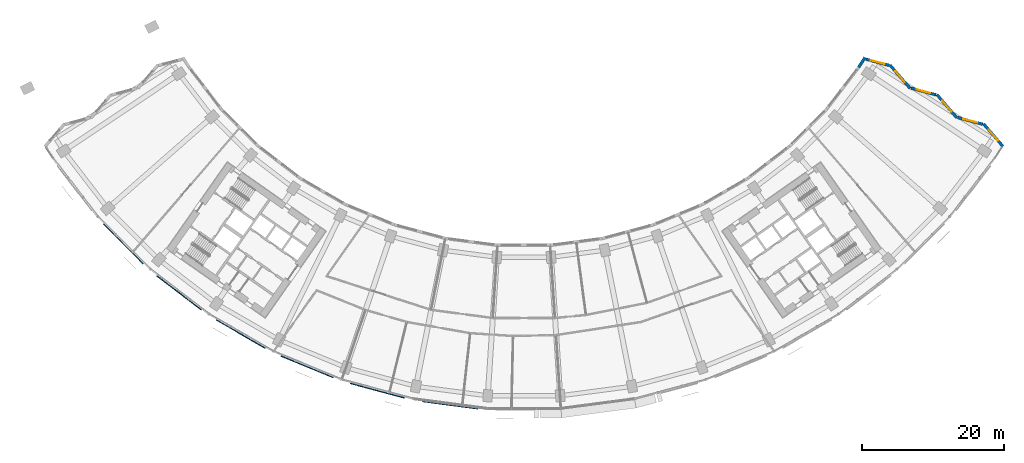
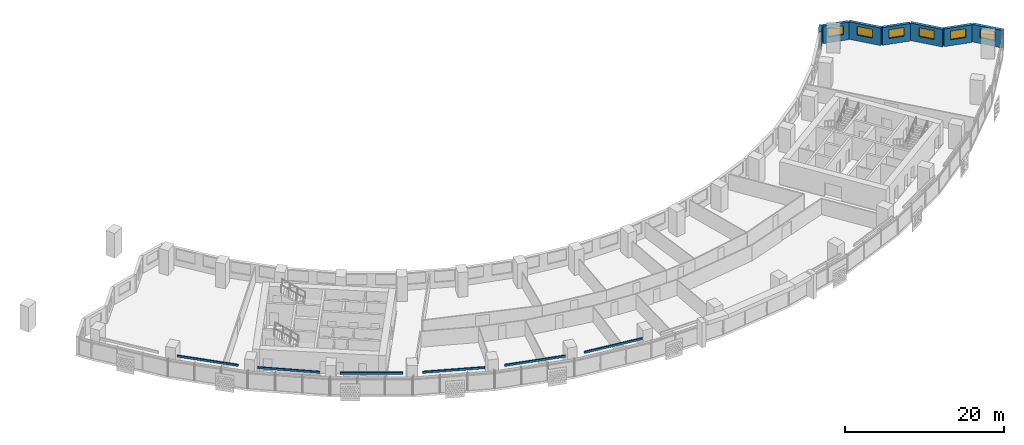
# One storey, part 8 of 31: 7 walls, 6 discrete accessories, 6 windows, 6 openings.
"""IFC4 building model written with IfcOpenShell, lengths in metres."""

from ifc_helpers import new_model, si_unit, direction, frame, frame_2d, origin, origin_2d, place, context, subcontext, project, spatial, rectangle, extrude, material, layer, layer_set, type_object, element, fill, save


model = new_model("IFC4")

# Units and contexts
model_context = context("Model", 3, precision=1e-05, world=origin(), true_north=direction((0.0, 1.0)))
body_context = subcontext(model_context, "Body", "Model", "MODEL_VIEW")
ifc_project = project(units=[si_unit("LENGTHUNIT", "METRE"), si_unit("AREAUNIT", "SQUARE_METRE"), si_unit("VOLUMEUNIT", "CUBIC_METRE"), si_unit("PLANEANGLEUNIT", "RADIAN"), si_unit("MASSUNIT", "GRAM", prefix="KILO")], contexts=[model_context])

# Site, building, storey
site_placement = place(None, origin())
site = spatial("IfcSite", under=ifc_project, at=site_placement, CompositionType="ELEMENT")
building_placement = place(site_placement, origin())
building = spatial("IfcBuilding", under=site, at=building_placement, Name="Qamariyya Broadcast Tower", CompositionType="ELEMENT")
storey_placement = place(building_placement, frame((0.0, 0.0, 51.89990234375)))
storey = spatial("IfcBuildingStorey", under=building, at=storey_placement, Name="L09", CompositionType="ELEMENT", Elevation=51.89990234375)

# Wall, opening, window
ifc_material_1 = material(Name="Terracotta", Category="masonry")
ifc_layer = layer(ifc_material_1, 0.39990234375)
ifc_layer_set = layer_set([ifc_layer], Name="Terracotta clad wall 400")
wall_type = type_object("IfcWallType", Name="Terracotta clad wall 400", PredefinedType="SOLIDWALL", material=ifc_layer_set)
wall_1_placement = place(storey_placement, frame((67.269287109375, -42.539794921875, 0.0), z_axis=(0.0, 0.0, 1.0), x_axis=(-0.652073316763, 0.758155913758, 0.0)))
wall_1 = element("IfcWall", 1, at=wall_1_placement, inside=storey, type_object=wall_type, Name="e-wl-L09-capE0", PredefinedType="SOLIDWALL", context=body_context, shape_type="SweptSolid", body=[
    extrude(rectangle(XDim=4.121826171875, YDim=0.39990234375, at=frame_2d((2.06103515625, 0.0))), origin(), (0.0, 0.0, 1.0), 2.7001953125),
])
opening_1_placement = place(wall_1_placement, frame((1.060791015625, 0.0, 0.89990234375)))
opening_1 = element("IfcOpeningElement", 2, at=opening_1_placement, cuts=wall_1, Name="Opening W4", PredefinedType="OPENING", context=body_context, shape_type="SweptSolid", body=[
    extrude(rectangle(XDim=2.0, YDim=1.35009765625, at=frame_2d((1.0, 0.675048828125))), frame((0.0, 0.2099609375, 0.0), z_axis=(0.0, -1.0, 0.0), x_axis=(1.0, 0.0, 0.0)), (0.0, 0.0, 1.0), 0.419921875),
])
ifc_material_2 = material(Name="Clear low-e double glazed unit in aluminium frame", Category="aluminium")
window_type = type_object("IfcWindowType", Name="Horn bay window 2000 x 1350", PartitioningType="SINGLE_PANEL", PredefinedType="WINDOW", material=ifc_material_2)
window_1_placement = place(opening_1_placement, origin())
window_1 = element("IfcWindow", 3, at=window_1_placement, inside=storey, type_object=window_type, Name="e-w-L09-capE0", OverallHeight=1.35009765625, OverallWidth=2.0, PartitioningType="SINGLE_PANEL", PredefinedType="WINDOW", context=body_context, shape_type="SweptSolid", body=[
    extrude(rectangle(XDim=2.0, YDim=1.35009765625, at=frame_2d((1.0, 0.675048828125))), frame((0.0, 0.030029296875, 0.0), z_axis=(0.0, -1.0, 0.0), x_axis=(1.0, 0.0, 0.0)), (0.0, 0.0, 1.0), 0.06005859375),
])
fill(opening_1, window_1)

wall_2_placement = place(storey_placement, frame((64.456787109375, -39.445556640625, 0.0), z_axis=(0.0, 0.0, 1.0), x_axis=(-0.966103763215, 0.258154060014, 0.0)))
wall_2 = element("IfcWall", 4, at=wall_2_placement, inside=storey, type_object=wall_type, Name="e-wl-L09-capE1", PredefinedType="SOLIDWALL", context=body_context, shape_type="SweptSolid", body=[
    extrude(rectangle(XDim=3.648681640625, YDim=0.39990234375, at=frame_2d((1.82421875, 0.0))), origin(), (0.0, 0.0, 1.0), 2.7001953125),
])
opening_2_placement = place(wall_2_placement, frame((0.824462890625, 0.0, 0.89990234375)))
opening_2 = element("IfcOpeningElement", 5, at=opening_2_placement, cuts=wall_2, Name="Opening W4", PredefinedType="OPENING", context=body_context, shape_type="SweptSolid", body=[
    extrude(rectangle(XDim=2.0, YDim=1.35009765625, at=frame_2d((1.0, 0.675048828125))), frame((0.0, 0.2099609375, 0.0), z_axis=(0.0, -1.0, 0.0), x_axis=(1.0, 0.0, 0.0)), (0.0, 0.0, 1.0), 0.419921875),
])
window_2_placement = place(opening_2_placement, origin())
window_2 = element("IfcWindow", 6, at=window_2_placement, inside=storey, type_object=window_type, Name="e-w-L09-capE1", OverallHeight=1.35009765625, OverallWidth=2.0, PartitioningType="SINGLE_PANEL", PredefinedType="WINDOW", context=body_context, shape_type="SweptSolid", body=[
    extrude(rectangle(XDim=2.0, YDim=1.35009765625, at=frame_2d((1.0, 0.675048828125))), frame((0.0, 0.030029296875, 0.0), z_axis=(0.0, -1.0, 0.0), x_axis=(1.0, 0.0, 0.0)), (0.0, 0.0, 1.0), 0.06005859375),
])
fill(opening_2, window_2)

wall_3_placement = place(storey_placement, frame((60.80712890625, -38.53466796875, 0.0), z_axis=(0.0, 0.0, 1.0), x_axis=(-0.652138603414, 0.758099757246, 0.0)))
wall_3 = element("IfcWall", 7, at=wall_3_placement, inside=storey, type_object=wall_type, Name="e-wl-L09-capE2", PredefinedType="SOLIDWALL", context=body_context, shape_type="SweptSolid", body=[
    extrude(rectangle(XDim=4.294677734375, YDim=0.39990234375, at=frame_2d((2.1474609375, 0.0))), origin(), (0.0, 0.0, 1.0), 2.7001953125),
])
opening_3_placement = place(wall_3_placement, frame((1.147216796875, 0.0, 0.89990234375)))
opening_3 = element("IfcOpeningElement", 8, at=opening_3_placement, cuts=wall_3, Name="Opening W4", PredefinedType="OPENING", context=body_context, shape_type="SweptSolid", body=[
    extrude(rectangle(XDim=2.0, YDim=1.35009765625, at=frame_2d((1.0, 0.675048828125))), frame((0.0, 0.2099609375, 0.0), z_axis=(0.0, -1.0, 0.0), x_axis=(1.0, 0.0, 0.0)), (0.0, 0.0, 1.0), 0.419921875),
])
window_3_placement = place(opening_3_placement, origin())
window_3 = element("IfcWindow", 9, at=window_3_placement, inside=storey, type_object=window_type, Name="e-w-L09-capE2", OverallHeight=1.35009765625, OverallWidth=2.0, PartitioningType="SINGLE_PANEL", PredefinedType="WINDOW", context=body_context, shape_type="SweptSolid", body=[
    extrude(rectangle(XDim=2.0, YDim=1.35009765625, at=frame_2d((1.0, 0.675048828125))), frame((0.0, 0.030029296875, 0.0), z_axis=(0.0, -1.0, 0.0), x_axis=(1.0, 0.0, 0.0)), (0.0, 0.0, 1.0), 0.06005859375),
])
fill(opening_3, window_3)

wall_4_placement = place(storey_placement, frame((57.8818359375, -35.309814453125, 0.0), z_axis=(0.0, 0.0, 1.0), x_axis=(-0.966123763906, 0.258079198727, 0.0)))
wall_4 = element("IfcWall", 10, at=wall_4_placement, inside=storey, type_object=wall_type, Name="e-wl-L09-capE3", PredefinedType="SOLIDWALL", context=body_context, shape_type="SweptSolid", body=[
    extrude(rectangle(XDim=3.647705078125, YDim=0.39990234375, at=frame_2d((1.82373046875, 0.0))), origin(), (0.0, 0.0, 1.0), 2.7001953125),
])
opening_4_placement = place(wall_4_placement, frame((0.82373046875, 0.0, 0.89990234375)))
opening_4 = element("IfcOpeningElement", 11, at=opening_4_placement, cuts=wall_4, Name="Opening W4", PredefinedType="OPENING", context=body_context, shape_type="SweptSolid", body=[
    extrude(rectangle(XDim=2.0, YDim=1.35009765625, at=frame_2d((1.0, 0.675048828125))), frame((0.0, 0.2099609375, 0.0), z_axis=(0.0, -1.0, 0.0), x_axis=(1.0, 0.0, 0.0)), (0.0, 0.0, 1.0), 0.419921875),
])
window_4_placement = place(opening_4_placement, origin())
window_4 = element("IfcWindow", 12, at=window_4_placement, inside=storey, type_object=window_type, Name="e-w-L09-capE3", OverallHeight=1.35009765625, OverallWidth=2.0, PartitioningType="SINGLE_PANEL", PredefinedType="WINDOW", context=body_context, shape_type="SweptSolid", body=[
    extrude(rectangle(XDim=2.0, YDim=1.35009765625, at=frame_2d((1.0, 0.675048828125))), frame((0.0, 0.030029296875, 0.0), z_axis=(0.0, -1.0, 0.0), x_axis=(1.0, 0.0, 0.0)), (0.0, 0.0, 1.0), 0.06005859375),
])
fill(opening_4, window_4)

wall_5_placement = place(storey_placement, frame((54.23291015625, -34.3994140625, 0.0), z_axis=(0.0, 0.0, 1.0), x_axis=(-0.65218495885, 0.758059878538, 0.0)))
wall_5 = element("IfcWall", 13, at=wall_5_placement, inside=storey, type_object=wall_type, Name="e-wl-L09-capE4", PredefinedType="SOLIDWALL", context=body_context, shape_type="SweptSolid", body=[
    extrude(rectangle(XDim=4.2958984375, YDim=0.39990234375, at=frame_2d((2.14794921875, 0.0))), origin(), (0.0, 0.0, 1.0), 2.7001953125),
])
opening_5_placement = place(wall_5_placement, frame((1.14794921875, 0.0, 0.89990234375)))
opening_5 = element("IfcOpeningElement", 14, at=opening_5_placement, cuts=wall_5, Name="Opening W4", PredefinedType="OPENING", context=body_context, shape_type="SweptSolid", body=[
    extrude(rectangle(XDim=2.0, YDim=1.35009765625, at=frame_2d((1.0, 0.675048828125))), frame((0.0, 0.2099609375, 0.0), z_axis=(0.0, -1.0, 0.0), x_axis=(1.0, 0.0, 0.0)), (0.0, 0.0, 1.0), 0.419921875),
])
window_5_placement = place(opening_5_placement, origin())
window_5 = element("IfcWindow", 15, at=window_5_placement, inside=storey, type_object=window_type, Name="e-w-L09-capE4", OverallHeight=1.35009765625, OverallWidth=2.0, PartitioningType="SINGLE_PANEL", PredefinedType="WINDOW", context=body_context, shape_type="SweptSolid", body=[
    extrude(rectangle(XDim=2.0, YDim=1.35009765625, at=frame_2d((1.0, 0.675048828125))), frame((0.0, 0.030029296875, 0.0), z_axis=(0.0, -1.0, 0.0), x_axis=(1.0, 0.0, 0.0)), (0.0, 0.0, 1.0), 0.06005859375),
])
fill(opening_5, window_5)

wall_6_placement = place(storey_placement, frame((51.306396484375, -31.173828125, 0.0), z_axis=(0.0, 0.0, 1.0), x_axis=(-0.966138164335, 0.258025284451, 0.0)))
wall_6 = element("IfcWall", 16, at=wall_6_placement, inside=storey, type_object=wall_type, Name="e-wl-L09-capE5", PredefinedType="SOLIDWALL", context=body_context, shape_type="SweptSolid", body=[
    extrude(rectangle(XDim=3.39404296875, YDim=0.39990234375, at=frame_2d((1.697021484375, 0.0))), origin(), (0.0, 0.0, 1.0), 2.7001953125),
])
opening_6_placement = place(wall_6_placement, frame((0.697021484375, 0.0, 0.89990234375)))
opening_6 = element("IfcOpeningElement", 17, at=opening_6_placement, cuts=wall_6, Name="Opening W4", PredefinedType="OPENING", context=body_context, shape_type="SweptSolid", body=[
    extrude(rectangle(XDim=2.0, YDim=1.35009765625, at=frame_2d((1.0, 0.675048828125))), frame((0.0, 0.2099609375, 0.0), z_axis=(0.0, -1.0, 0.0), x_axis=(1.0, 0.0, 0.0)), (0.0, 0.0, 1.0), 0.419921875),
])
window_6_placement = place(opening_6_placement, origin())
window_6 = element("IfcWindow", 18, at=window_6_placement, inside=storey, type_object=window_type, Name="e-w-L09-capE5", OverallHeight=1.35009765625, OverallWidth=2.0, PartitioningType="SINGLE_PANEL", PredefinedType="WINDOW", context=body_context, shape_type="SweptSolid", body=[
    extrude(rectangle(XDim=2.0, YDim=1.35009765625, at=frame_2d((1.0, 0.675048828125))), frame((0.0, 0.030029296875, 0.0), z_axis=(0.0, -1.0, 0.0), x_axis=(1.0, 0.0, 0.0)), (0.0, 0.0, 1.0), 0.06005859375),
])
fill(opening_6, window_6)

# Wall
wall_7_placement = place(storey_placement, frame((47.890380859375, -30.07470703125, 0.0), z_axis=(0.0, 0.0, 1.0), x_axis=(-0.544156714053, -0.838983593732, 0.0)))
element("IfcWall", 19, at=wall_7_placement, inside=storey, type_object=wall_type, Name="e-wl-L09-in160", PredefinedType="SOLIDWALL", context=body_context, shape_type="SweptSolid", body=[
    extrude(rectangle(XDim=1.62060546875, YDim=0.39990234375, at=frame_2d((0.810302734375, 0.0))), origin(), (0.0, 0.0, 1.0), 2.7001953125),
])

# Discrete accessories
ifc_material_3 = material(Name="Stainless steel 316", Category="steel")
discrete_accessory_type = type_object("IfcDiscreteAccessoryType", Name="Slab edge fixing angle, stainless steel", PredefinedType="BRACKET", material=ifc_material_3)
for number, where, z_axis, x_axis, name in (
    (20, (-56.25341796875, -56.25341796875, 3.30029296875), (0.0, 0.0, 1.0), (0.707106781187, -0.707106781187, 0.0), "e-br-L09-02-0"),
    (21, (-48.4296875, -63.11474609375, 3.30029296875), (0.0, 0.0, 1.0), (0.793353340291, -0.608761429009, 0.0), "e-br-L09-03-0"),
    (22, (-39.77734375, -68.896240234375, 3.30029296875), (0.0, 0.0, 1.0), (0.866025403784, -0.5, 0.0), "e-br-L09-04-0"),
    (23, (-30.444091796875, -73.498779296875, 3.30029296875), (0.0, 0.0, 1.0), (0.923879532511, -0.382683432365, 0.0), "e-br-L09-05-0"),
    (24, (-20.59033203125, -76.84375, 3.30029296875), (0.0, 0.0, 1.0), (0.965925826289, -0.258819045103, 0.0), "e-br-L09-06-0"),
    (25, (-10.384033203125, -78.873779296875, 3.30029296875), (0.0, 0.0, 1.0), (0.991444861374, -0.13052619222, 0.0), "e-br-L09-07-0"),
):
    element("IfcDiscreteAccessory", number, at=place(storey_placement, frame(where, z_axis=z_axis, x_axis=x_axis)), inside=storey, type_object=discrete_accessory_type, Name=name, PredefinedType="BRACKET", context=body_context, shape_type="SweptSolid", body=[
        extrude(rectangle(XDim=7.9140625, YDim=0.14990234375, at=origin_2d()), origin(), (0.0, 0.0, 1.0), 0.300048828125),
    ])

save(model, "model.ifc")
